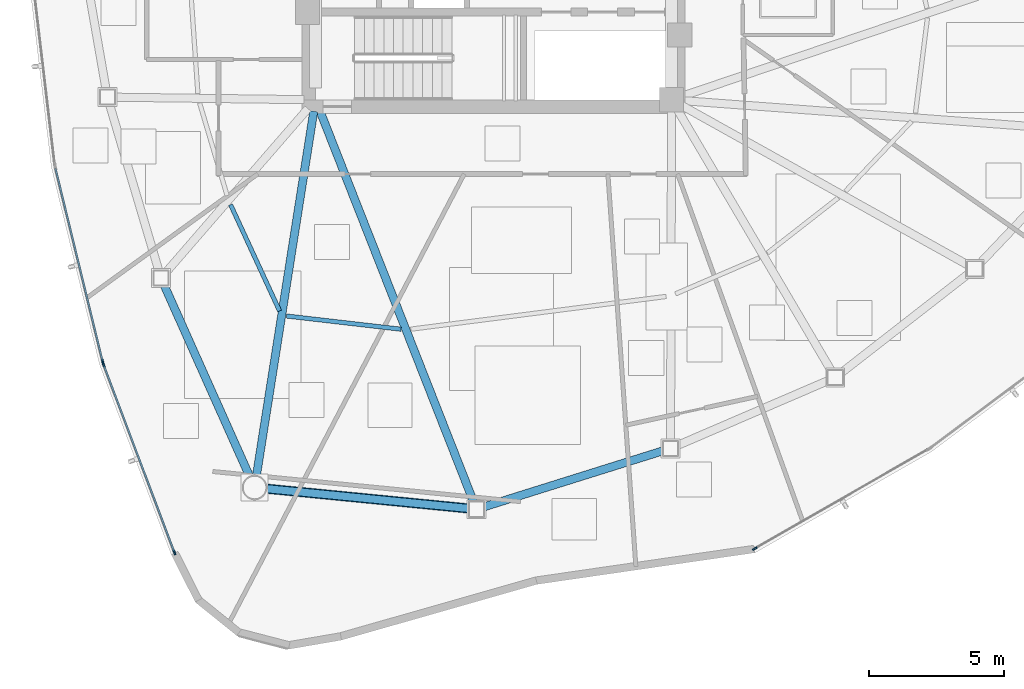
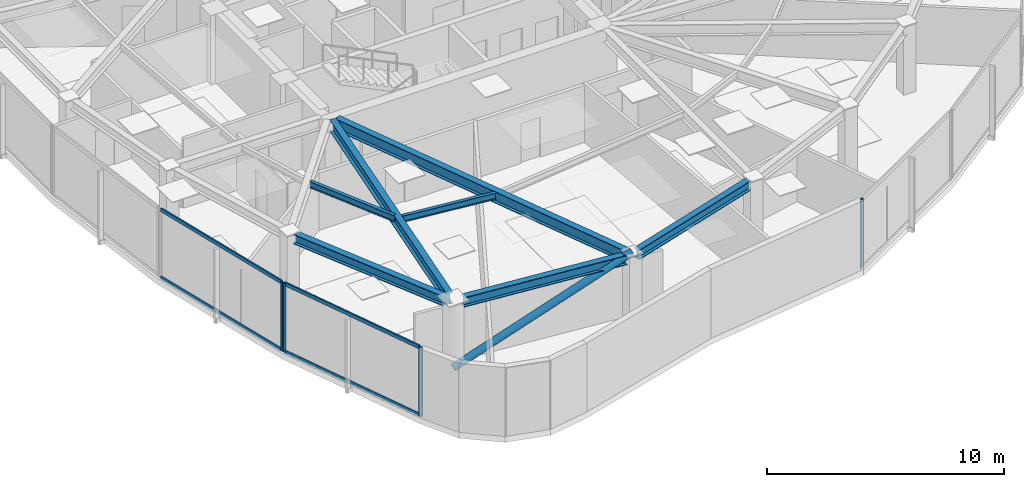
# One storey, part 2 of 18: 9 members, 7 beams, 3 elements without a shape of their own.
"""IFC4 building model written with IfcOpenShell, lengths in metres."""

from ifc_helpers import new_model, si_unit, direction, frame, origin, origin_2d, place, context, subcontext, project, spatial, hollow_rectangle, hollow_circle, i_section, extrude, source, transform, mapped, material, layer, layer_set, material_profile, profile_set, type_object, type_shapes, element, aggregate, save


model = new_model("IFC4")

# Units and contexts
model_context = context("Model", 3, precision=1e-05, world=origin(), true_north=direction((0.0, 1.0)))
body_context = subcontext(model_context, "Body", "Model", "MODEL_VIEW")
ifc_project = project(units=[si_unit("LENGTHUNIT", "METRE"), si_unit("AREAUNIT", "SQUARE_METRE"), si_unit("VOLUMEUNIT", "CUBIC_METRE"), si_unit("PLANEANGLEUNIT", "RADIAN"), si_unit("MASSUNIT", "GRAM", prefix="KILO")], contexts=[model_context])

# Site, building, storey
site_placement = place(None, origin())
site = spatial("IfcSite", under=ifc_project, at=site_placement, CompositionType="ELEMENT")
building_placement = place(site_placement, origin())
building = spatial("IfcBuilding", under=site, at=building_placement, Name="Tavelor Broadcast Tower", CompositionType="ELEMENT")
storey_placement = place(building_placement, frame((0.0, 0.0, 173.35009765625)))
storey = spatial("IfcBuildingStorey", under=building, at=storey_placement, Name="L41", CompositionType="ELEMENT", Elevation=173.35009765625)

# Beams
ifc_material_1 = material(Name="Steel S355", Category="steel")
ifc_material_profile_1 = material_profile(ifc_material_1, i_section(OverallWidth=0.159912109375, OverallDepth=0.330078125, WebThickness=0.007568359375, FlangeThickness=0.011474609375, at=origin_2d()), Name="IPE 330")
ifc_profile_set_1 = profile_set([ifc_material_profile_1], Name="Steel S355")
beam_type_1 = type_object("IfcBeamType", Name="Composite Floor Joist T4 IPE 330", PredefinedType="JOIST", material=ifc_profile_set_1)
beam_1_placement = place(storey_placement, frame((40.2470703125, 34.91259765625, 3.385009765625), z_axis=(0.418865688231, -0.908048200936, 0.0), x_axis=(0.908048200936, 0.418865688231, 0.0)))
element("IfcBeam", 1, at=beam_1_placement, inside=storey, type_object=beam_type_1, Name="L41 Secondary Composite Floor Joist 06", PredefinedType="JOIST", context=body_context, shape_type="SweptSolid", body=[
    extrude(i_section(OverallWidth=0.159912109375, OverallDepth=0.330078125, WebThickness=0.007568359375, FlangeThickness=0.011474609375, at=origin_2d()), origin(), (0.0, 0.0, 1.0), 4.343505859375),
])
beam_2_placement = place(storey_placement, frame((42.322021484375, 30.783447265625, 3.385009765625), z_axis=(0.99339343168, -0.114758397927, 0.0), x_axis=(0.114758397927, 0.99339343168, 0.0)))
element("IfcBeam", 2, at=beam_2_placement, inside=storey, type_object=beam_type_1, Name="L41 Secondary Composite Floor Joist 07", PredefinedType="JOIST", context=body_context, shape_type="SweptSolid", body=[
    extrude(i_section(OverallWidth=0.159912109375, OverallDepth=0.330078125, WebThickness=0.007568359375, FlangeThickness=0.011474609375, at=origin_2d()), origin(), (0.0, 0.0, 1.0), 4.2783203125),
])
ifc_material_profile_2 = material_profile(ifc_material_1, i_section(OverallWidth=0.300048828125, OverallDepth=0.5, WebThickness=0.014404296875, FlangeThickness=0.028076171875, at=origin_2d()), Name="HEB 500")
ifc_profile_set_2 = profile_set([ifc_material_profile_2], Name="Steel S355")
beam_type_2 = type_object("IfcBeamType", Name="Perimeter Spandrel Beam T4 HEB 500", PredefinedType="SPANDREL", material=ifc_profile_set_2)
beam_3_placement = place(storey_placement, frame((37.78564453125, 31.927490234375, 3.2998046875), z_axis=(0.407969002466, -0.912995779304, 0.0), x_axis=(0.912995779304, 0.407969002466, 0.0)))
element("IfcBeam", 3, at=beam_3_placement, inside=storey, type_object=beam_type_2, Name="L41 Framed-Tube Ring Spandrel 06", PredefinedType="SPANDREL", context=body_context, shape_type="SweptSolid", body=[
    extrude(i_section(OverallWidth=0.300048828125, OverallDepth=0.5, WebThickness=0.014404296875, FlangeThickness=0.028076171875, at=origin_2d()), origin(), (0.0, 0.0, 1.0), 7.7802734375),
])
beam_4_placement = place(storey_placement, frame((41.5751953125, 24.381103515625, 3.2998046875), z_axis=(0.995249339376, -0.097358884918, 0.0), x_axis=(0.097358884918, 0.995249339376, 0.0)))
element("IfcBeam", 4, at=beam_4_placement, inside=storey, type_object=beam_type_2, Name="L41 Framed-Tube Ring Spandrel 07", PredefinedType="SPANDREL", context=body_context, shape_type="SweptSolid", body=[
    extrude(i_section(OverallWidth=0.300048828125, OverallDepth=0.5, WebThickness=0.014404296875, FlangeThickness=0.028076171875, at=origin_2d()), origin(), (0.0, 0.0, 1.0), 7.54052734375),
])
beam_5_placement = place(storey_placement, frame((49.641357421875, 23.705078125, 3.2998046875), z_axis=(0.954273247332, 0.298935727918, 0.0), x_axis=(-0.298935727918, 0.954273247332, 0.0)))
element("IfcBeam", 5, at=beam_5_placement, inside=storey, type_object=beam_type_2, Name="L41 Framed-Tube Ring Spandrel 08", PredefinedType="SPANDREL", context=body_context, shape_type="SweptSolid", body=[
    extrude(i_section(OverallWidth=0.300048828125, OverallDepth=0.5, WebThickness=0.014404296875, FlangeThickness=0.028076171875, at=origin_2d()), origin(), (0.0, 0.0, 1.0), 6.963134765625),
])

# Member
ifc_material_profile_3 = material_profile(ifc_material_1, hollow_circle(Radius=0.177734375, WallThickness=0.01611328125, at=origin_2d()), Name="CHS 355.6x16")
ifc_profile_set_3 = profile_set([ifc_material_profile_3], Name="Steel S355")
member_type_1 = type_object("IfcMemberType", Name="Perimeter Tube Brace T4 CHS 355.6x16", PredefinedType="BRACE", material=ifc_profile_set_3)
member_1_placement = place(storey_placement, frame((41.138671875, 24.423828125, 0.0), z_axis=(0.914506155646, -0.089466983032, 0.394555636423), x_axis=(0.097366094377, 0.995248634094, 0.0)))
element("IfcMember", 6, at=member_1_placement, inside=storey, type_object=member_type_1, Name="L41 Corner Tube Diagonal Brace 2", PredefinedType="BRACE", context=body_context, shape_type="SweptSolid", body=[
    extrude(hollow_circle(Radius=0.177734375, WallThickness=0.01611328125, at=origin_2d()), origin(), (0.0, 0.0, 1.0), 8.9970703125),
])

# Beams
ifc_material_profile_4 = material_profile(ifc_material_1, i_section(OverallWidth=0.300048828125, OverallDepth=0.590087890625, WebThickness=0.012939453125, FlangeThickness=0.02490234375, at=origin_2d()), Name="HEA 600")
ifc_profile_set_4 = profile_set([ifc_material_profile_4], Name="Steel S355")
beam_type_3 = type_object("IfcBeamType", Name="Radial Floor Girder T4 HEA 600", PredefinedType="BEAM", material=ifc_profile_set_4)
beam_6_placement = place(storey_placement, frame((43.3330078125, 38.373291015625, 3.2548828125), z_axis=(-0.15539903111, -0.987851780952, 0.0), x_axis=(0.987851780952, -0.15539903111, 0.0)))
element("IfcBeam", 7, at=beam_6_placement, inside=storey, type_object=beam_type_3, Name="L41 Radial Primary Floor Girder 07", PredefinedType="BEAM", context=body_context, shape_type="SweptSolid", body=[
    extrude(i_section(OverallWidth=0.300048828125, OverallDepth=0.590087890625, WebThickness=0.012939453125, FlangeThickness=0.02490234375, at=origin_2d()), origin(), (0.0, 0.0, 1.0), 13.682373046875),
])
beam_7_placement = place(storey_placement, frame((43.55810546875, 38.39794921875, 3.2548828125), z_axis=(0.365784627572, -0.930699525213, 0.0), x_axis=(0.930699525213, 0.365784627572, 0.0)))
element("IfcBeam", 8, at=beam_7_placement, inside=storey, type_object=beam_type_3, Name="L41 Radial Primary Floor Girder 08", PredefinedType="BEAM", context=body_context, shape_type="SweptSolid", body=[
    extrude(i_section(OverallWidth=0.300048828125, OverallDepth=0.590087890625, WebThickness=0.012939453125, FlangeThickness=0.02490234375, at=origin_2d()), origin(), (0.0, 0.0, 1.0), 15.591552734375),
])

# Curtain wall, member
ifc_material_2 = material(Name="Architectural Anodized Aluminium", Category="aluminium")
ifc_layer = layer(ifc_material_2, 0.18994140625)
ifc_layer_set = layer_set([ifc_layer], Name="Architectural Anodized Aluminium")
curtain_wall_type = type_object("IfcCurtainWallType", Name="Tower Mid-Zone Acoustic Curtain Wall CW03", PredefinedType="NOTDEFINED", material=ifc_layer_set)
curtain_wall_1_placement = place(storey_placement, origin())
curtain_wall_1 = element("IfcCurtainWall", 9, at=curtain_wall_1_placement, inside=storey, type_object=curtain_wall_type, Name="L41 Curtain Wall CW03 Run 435", PredefinedType="NOTDEFINED")
ifc_material_profile_5 = material_profile(ifc_material_2, hollow_rectangle(XDim=0.068115234375, YDim=0.18994140625, WallThickness=0.02197265625, at=origin_2d()), Name="RHS 68x190x22")
ifc_profile_set_5 = profile_set([ifc_material_profile_5], Name="Architectural Anodized Aluminium")
member_type_2 = type_object("IfcMemberType", Name="CW03 Extruded Aluminium Mullion 68x190", PredefinedType="MULLION", material=ifc_profile_set_5)
shared_shape_1 = source(origin(), body_context, "Body", "SweptSolid", [
    extrude(hollow_rectangle(XDim=0.068115234375, YDim=0.18994140625, WallThickness=0.02197265625, at=origin_2d()), origin(), (0.0, 0.0, 1.0), 3.5498046875),
])
type_shapes(member_type_2, [shared_shape_1])
member_2_placement = place(storey_placement, frame((35.509033203125, 29.07568359375, 0.0), z_axis=(0.0, 0.0, 1.0), x_axis=(0.971443464016, 0.237271144939, 0.0)))
member_2 = element("IfcMember", 10, at=member_2_placement, type_object=member_type_2, Name="CW03 mullion 2", PredefinedType="MULLION", context=body_context, shape_type="MappedRepresentation", body=[
    mapped(shared_shape_1, transform((0.0, 0.0, 0.0), scale=1.0)),
])

# Curtain wall, members
curtain_wall_2_placement = place(storey_placement, origin())
curtain_wall_2 = element("IfcCurtainWall", 11, at=curtain_wall_2_placement, inside=storey, type_object=curtain_wall_type, Name="L41 Curtain Wall CW03 Run 436", PredefinedType="NOTDEFINED")
member_3_placement = place(storey_placement, frame((35.5380859375, 28.982177734375, 0.0), z_axis=(0.0, 0.0, 1.0), x_axis=(0.93559084295, 0.353086072492, 0.0)))
member_3 = element("IfcMember", 12, at=member_3_placement, type_object=member_type_2, Name="CW03 mullion 1", PredefinedType="MULLION", context=body_context, shape_type="MappedRepresentation", body=[
    mapped(shared_shape_1, transform((0.0, 0.0, 0.0), scale=1.0)),
])
member_4_placement = place(storey_placement, frame((38.164794921875, 22.022216796875, 0.0), z_axis=(0.0, 0.0, 1.0), x_axis=(0.93559084295, 0.353086072492, 0.0)))
member_4 = element("IfcMember", 13, at=member_4_placement, type_object=member_type_2, Name="CW03 mullion 2", PredefinedType="MULLION", context=body_context, shape_type="MappedRepresentation", body=[
    mapped(shared_shape_1, transform((0.0, 0.0, 0.0), scale=1.0)),
])

# Curtain wall, member
curtain_wall_3_placement = place(storey_placement, origin())
curtain_wall_3 = element("IfcCurtainWall", 14, at=curtain_wall_3_placement, inside=storey, type_object=curtain_wall_type, Name="L41 Curtain Wall CW03 Run 437", PredefinedType="NOTDEFINED")
member_5_placement = place(storey_placement, frame((59.684814453125, 22.1572265625, 0.0), z_axis=(0.0, 0.0, 1.0), x_axis=(-0.497353692457, 0.867547868765, 0.0)))
member_5 = element("IfcMember", 15, at=member_5_placement, type_object=member_type_2, Name="CW03 mullion 1", PredefinedType="MULLION", context=body_context, shape_type="MappedRepresentation", body=[
    mapped(shared_shape_1, transform((0.0, 0.0, 0.0), scale=1.0)),
])
aggregate(curtain_wall_3, [member_5])

# Member
ifc_material_profile_6 = material_profile(ifc_material_2, hollow_rectangle(XDim=0.068115234375, YDim=0.18994140625, WallThickness=0.02197265625, at=origin_2d()), Name="RHS 68x190x22")
ifc_profile_set_6 = profile_set([ifc_material_profile_6], Name="Architectural Anodized Aluminium")
member_type_3 = type_object("IfcMemberType", Name="CW03 Extruded Aluminium Transom 68x190", PredefinedType="USERDEFINED", material=ifc_profile_set_6)
shared_shape_2 = source(origin(), body_context, "Body", "SweptSolid", [
    extrude(hollow_rectangle(XDim=0.068115234375, YDim=0.18994140625, WallThickness=0.02197265625, at=origin_2d()), origin(), (0.0, 0.0, 1.0), 7.35546875),
])
member_6_placement = place(storey_placement, frame((33.755859375, 36.254150390625, 0.033935546875), z_axis=(0.237252637393, -0.971447984223, 0.0), x_axis=(0.971447984223, 0.237252637393, 0.0)))
member_6 = element("IfcMember", 16, at=member_6_placement, type_object=member_type_3, Name="CW03 transom 1.1", ObjectType="TRANSOM", PredefinedType="USERDEFINED", context=body_context, shape_type="MappedRepresentation", body=[
    mapped(shared_shape_2, transform((0.0, 0.0, 0.0), scale=1.0)),
])

member_7_placement = place(storey_placement, frame((33.755859375, 36.254150390625, 3.515869140625), z_axis=(0.237252637393, -0.971447984223, 0.0), x_axis=(0.971447984223, 0.237252637393, 0.0)))
member_7 = element("IfcMember", 17, at=member_7_placement, type_object=member_type_3, Name="CW03 transom 1.2", ObjectType="TRANSOM", PredefinedType="USERDEFINED", context=body_context, shape_type="MappedRepresentation", body=[
    mapped(shared_shape_2, transform((0.0, 0.0, 0.0), scale=1.0)),
])

aggregate(curtain_wall_1, [member_2, member_6, member_7])

shared_shape_3 = source(origin(), body_context, "Body", "SweptSolid", [
    extrude(hollow_rectangle(XDim=0.068115234375, YDim=0.18994140625, WallThickness=0.02197265625, at=origin_2d()), origin(), (0.0, 0.0, 1.0), 7.371337890625),
])
type_shapes(member_type_3, [shared_shape_2, shared_shape_3])
member_8_placement = place(storey_placement, frame((35.550048828125, 28.950439453125, 0.033935546875), z_axis=(0.353097184504, -0.935586649271, 0.0), x_axis=(0.935586649271, 0.353097184504, 0.0)))
member_8 = element("IfcMember", 18, at=member_8_placement, type_object=member_type_3, Name="CW03 transom 1.1", ObjectType="TRANSOM", PredefinedType="USERDEFINED", context=body_context, shape_type="MappedRepresentation", body=[
    mapped(shared_shape_3, transform((0.0, 0.0, 0.0), scale=1.0)),
])

member_9_placement = place(storey_placement, frame((35.550048828125, 28.950439453125, 3.515869140625), z_axis=(0.353097184504, -0.935586649271, 0.0), x_axis=(0.935586649271, 0.353097184504, 0.0)))
member_9 = element("IfcMember", 19, at=member_9_placement, type_object=member_type_3, Name="CW03 transom 1.2", ObjectType="TRANSOM", PredefinedType="USERDEFINED", context=body_context, shape_type="MappedRepresentation", body=[
    mapped(shared_shape_3, transform((0.0, 0.0, 0.0), scale=1.0)),
])

aggregate(curtain_wall_2, [member_3, member_4, member_8, member_9])

save(model, "model.ifc")
